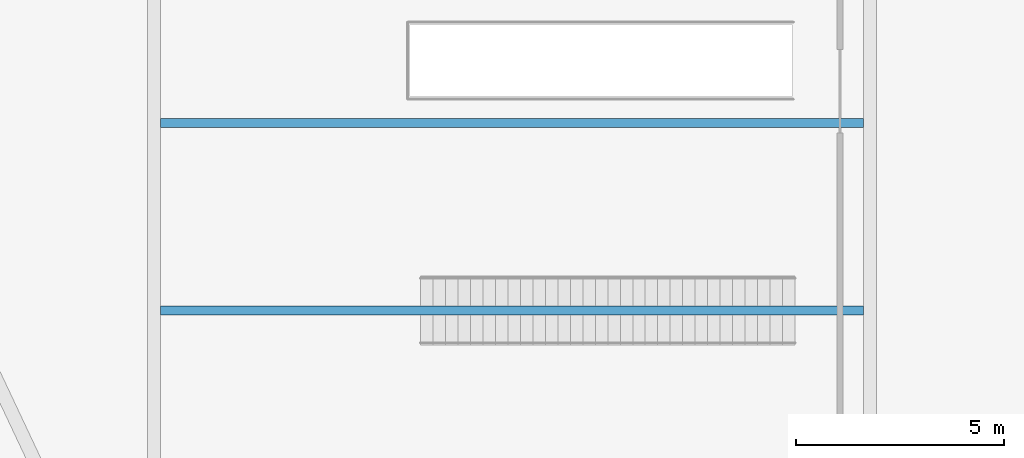
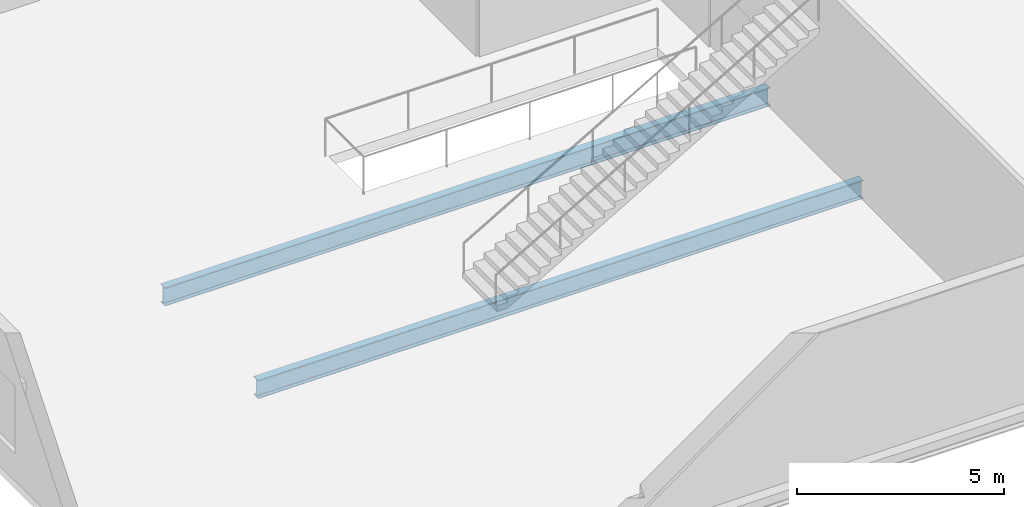
# One storey, part 3 of 36: 2 beams.
"""IFC4 building model written with IfcOpenShell, lengths in metres."""

from ifc_helpers import new_model, si_unit, direction, frame, origin, origin_2d, place, context, subcontext, project, spatial, i_section, extrude, material, material_profile, profile_set, type_object, element, save


model = new_model("IFC4")

# Units and contexts
model_context = context("Model", 3, precision=1e-05, world=origin(), true_north=direction((0.0, 1.0)))
body_context = subcontext(model_context, "Body", "Model", "MODEL_VIEW")
ifc_project = project(units=[si_unit("LENGTHUNIT", "METRE"), si_unit("AREAUNIT", "SQUARE_METRE"), si_unit("VOLUMEUNIT", "CUBIC_METRE"), si_unit("PLANEANGLEUNIT", "RADIAN"), si_unit("MASSUNIT", "GRAM", prefix="KILO")], contexts=[model_context])

# Site, building, storey
site_placement = place(None, origin())
site = spatial("IfcSite", under=ifc_project, at=site_placement, CompositionType="ELEMENT")
building_placement = place(site_placement, origin())
building = spatial("IfcBuilding", under=site, at=building_placement, Name="Varnelok Gate Tower", CompositionType="ELEMENT")
storey_placement = place(building_placement, frame((0.0, 0.0, 10.800048828125)))
storey = spatial("IfcBuildingStorey", under=building, at=storey_placement, Name="L02", CompositionType="ELEMENT", Elevation=10.800048828125)

# Beams
ifc_material = material(Name="Structural Steel ASTM A992 Grade 50", Category="steel")
ifc_material_profile = material_profile(ifc_material, i_section(OverallWidth=0.2119140625, OverallDepth=0.5439453125, WebThickness=0.01318359375, FlangeThickness=0.021240234375, FilletRadius=0.01611328125, at=origin_2d()), Name="W21X83")
ifc_profile_set = profile_set([ifc_material_profile], Name="Structural Steel ASTM A992 Grade 50")
beam_type = type_object("IfcBeamType", Name="BM-JST-W21X83", PredefinedType="JOIST", material=ifc_profile_set)
for number, where, z_axis, x_axis, name in (
    (1, (7.360107421875, 10.5, -0.552001953125), (1.0, 0.0, 0.0), (0.0, 1.0, 0.0), "L02 Podium Floor Joist"),
    (2, (7.360107421875, 15.0, -0.552001953125), (1.0, 0.0, 0.0), (0.0, 1.0, 0.0), "L02 Podium Floor Joist"),
):
    element("IfcBeam", number, at=place(storey_placement, frame(where, z_axis=z_axis, x_axis=x_axis)), inside=storey, type_object=beam_type, Name=name, PredefinedType="JOIST", context=body_context, shape_type="SweptSolid", body=[
        extrude(i_section(OverallWidth=0.2119140625, OverallDepth=0.5439453125, WebThickness=0.01318359375, FlangeThickness=0.021240234375, FilletRadius=0.01611328125, at=origin_2d()), origin(), (0.0, 0.0, 1.0), 16.8798828125),
    ])

save(model, "model.ifc")
